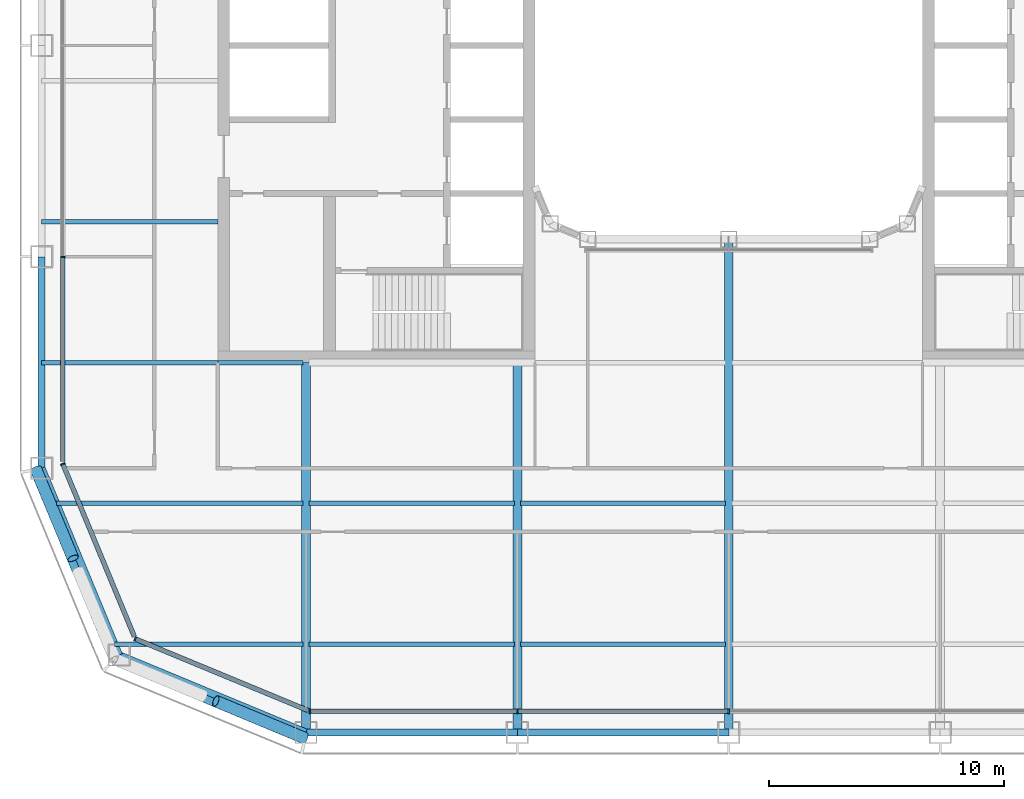
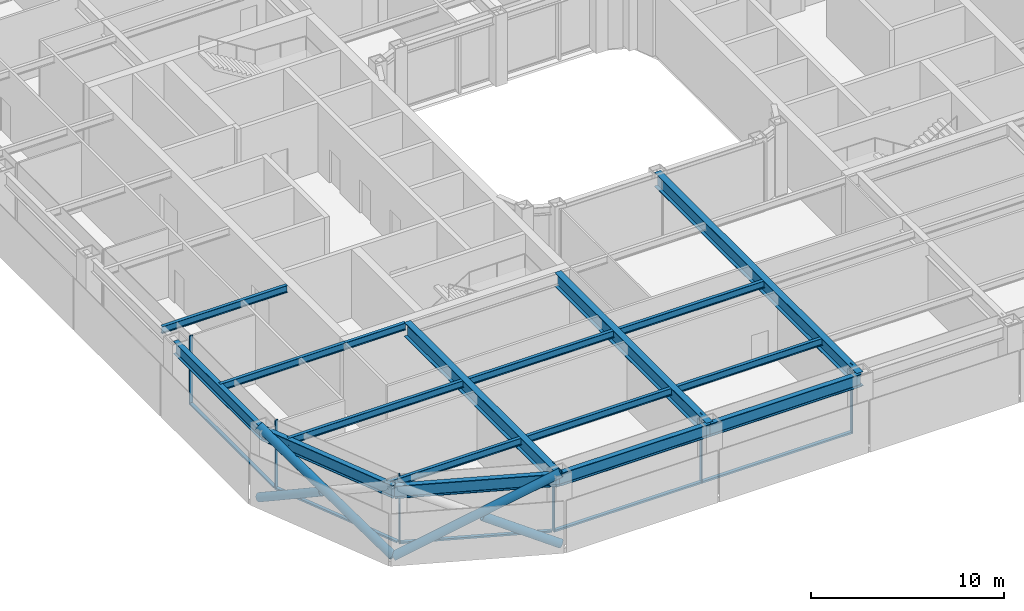
# One storey, part 2 of 21: 17 beams, 15 members, 4 elements without a shape of their own.
"""IFC4 building model written with IfcOpenShell, lengths in metres."""

from ifc_helpers import new_model, si_unit, direction, frame, origin, origin_2d, place, context, subcontext, project, spatial, rectangle, hollow_circle, i_section, extrude, material, layer, layer_set, material_profile, profile_set, type_object, element, aggregate, save


model = new_model("IFC4")

# Units and contexts
model_context = context("Model", 3, precision=1e-05, world=origin(), true_north=direction((0.0, 1.0)))
body_context = subcontext(model_context, "Body", "Model", "MODEL_VIEW")
ifc_project = project(units=[si_unit("LENGTHUNIT", "METRE"), si_unit("AREAUNIT", "SQUARE_METRE"), si_unit("VOLUMEUNIT", "CUBIC_METRE"), si_unit("PLANEANGLEUNIT", "RADIAN"), si_unit("MASSUNIT", "GRAM", prefix="KILO")], contexts=[model_context])

# Site, building, storey
site_placement = place(None, origin())
site = spatial("IfcSite", under=ifc_project, at=site_placement, CompositionType="ELEMENT")
building_placement = place(site_placement, origin())
building = spatial("IfcBuilding", under=site, at=building_placement, Name="Siwar Civic Tower", CompositionType="ELEMENT")
storey_placement = place(building_placement, frame((0.0, 0.0, 122.699951171875)))
storey = spatial("IfcBuildingStorey", under=building, at=storey_placement, Name="L26", CompositionType="ELEMENT", Elevation=122.699951171875)

# Curtain wall, members
ifc_material_1 = material(Name="Aluminium and glass", Category="aluminium")
ifc_layer_1 = layer(ifc_material_1, 0.199951171875)
ifc_layer_set_1 = layer_set([ifc_layer_1], Name="Aluminium and glass")
curtain_wall_type_1 = type_object("IfcCurtainWallType", Name="ENV-CW-B", PredefinedType="NOTDEFINED", material=ifc_layer_set_1)
curtain_wall_1_placement = place(storey_placement, origin())
curtain_wall_1 = element("IfcCurtainWall", 1, at=curtain_wall_1_placement, inside=storey, type_object=curtain_wall_type_1, Name="Curtain wall B S", PredefinedType="NOTDEFINED")
ifc_material_2 = material(Name="Aluminium 6063-T6", Category="aluminium")
ifc_material_profile_1 = material_profile(ifc_material_2, rectangle(XDim=0.199951171875, YDim=0.06494140625, at=origin_2d()), Name="AL 200x65")
ifc_profile_set_1 = profile_set([ifc_material_profile_1], Name="Aluminium 6063-T6")
member_type_1 = type_object("IfcMemberType", Name="ENV-MULLION-B", PredefinedType="MULLION", material=ifc_profile_set_1)
member_1_placement = place(storey_placement, frame((-17.821044921875, -28.35009765625, 0.0), z_axis=(0.0, 0.0, 1.0), x_axis=(0.0, 1.0, 0.0)))
member_1 = element("IfcMember", 2, at=member_1_placement, type_object=member_type_1, Name="Mullion B S 1", PredefinedType="MULLION", context=body_context, shape_type="SweptSolid", body=[
    extrude(rectangle(XDim=0.199951171875, YDim=0.06494140625, at=origin_2d()), origin(), (0.0, 0.0, 1.0), 4.35009765625),
])
member_2_placement = place(storey_placement, frame((-9.0, -28.35009765625, 0.0), z_axis=(0.0, 0.0, 1.0), x_axis=(0.0, 1.0, 0.0)))
member_2 = element("IfcMember", 3, at=member_2_placement, type_object=member_type_1, Name="Mullion B S 2", PredefinedType="MULLION", context=body_context, shape_type="SweptSolid", body=[
    extrude(rectangle(XDim=0.199951171875, YDim=0.06494140625, at=origin_2d()), origin(), (0.0, 0.0, 1.0), 4.35009765625),
])
member_3_placement = place(storey_placement, frame((0.0, -28.35009765625, 0.0), z_axis=(0.0, 0.0, 1.0), x_axis=(0.0, 1.0, 0.0)))
member_3 = element("IfcMember", 4, at=member_3_placement, type_object=member_type_1, Name="Mullion B S 3", PredefinedType="MULLION", context=body_context, shape_type="SweptSolid", body=[
    extrude(rectangle(XDim=0.199951171875, YDim=0.06494140625, at=origin_2d()), origin(), (0.0, 0.0, 1.0), 4.35009765625),
])

# Curtain wall, member
curtain_wall_2_placement = place(storey_placement, origin())
curtain_wall_2 = element("IfcCurtainWall", 5, at=curtain_wall_2_placement, inside=storey, type_object=curtain_wall_type_1, Name="Curtain wall B W", PredefinedType="NOTDEFINED")
member_4_placement = place(storey_placement, frame((-28.35009765625, -9.0, 0.0), z_axis=(0.0, 0.0, 1.0), x_axis=(1.0, 0.0, 0.0)))
member_4 = element("IfcMember", 6, at=member_4_placement, type_object=member_type_1, Name="Mullion B W 4", PredefinedType="MULLION", context=body_context, shape_type="SweptSolid", body=[
    extrude(rectangle(XDim=0.199951171875, YDim=0.06494140625, at=origin_2d()), origin(), (0.0, 0.0, 1.0), 4.35009765625),
])

ifc_material_3 = material(Name="Aluminium clad insulated panel", Category="aluminium")
ifc_layer_2 = layer(ifc_material_3, 0.199951171875)
ifc_layer_set_2 = layer_set([ifc_layer_2], Name="Aluminium clad insulated panel")
curtain_wall_type_2 = type_object("IfcCurtainWallType", Name="ENV-CW-BX", PredefinedType="NOTDEFINED", material=ifc_layer_set_2)
curtain_wall_3_placement = place(storey_placement, origin())
curtain_wall_3 = element("IfcCurtainWall", 7, at=curtain_wall_3_placement, inside=storey, type_object=curtain_wall_type_2, Name="Curtain wall B SW1", PredefinedType="NOTDEFINED")
member_5_placement = place(storey_placement, frame((-28.35009765625, -17.821044921875, 0.0), z_axis=(0.0, 0.0, 1.0), x_axis=(0.923879532511, 0.382683432365, 0.0)))
member_5 = element("IfcMember", 8, at=member_5_placement, type_object=member_type_1, Name="Mullion B SW1 1", PredefinedType="MULLION", context=body_context, shape_type="SweptSolid", body=[
    extrude(rectangle(XDim=0.199951171875, YDim=0.06494140625, at=origin_2d()), origin(), (0.0, 0.0, 1.0), 4.35009765625),
])

curtain_wall_4_placement = place(storey_placement, origin())
curtain_wall_4 = element("IfcCurtainWall", 9, at=curtain_wall_4_placement, inside=storey, type_object=curtain_wall_type_2, Name="Curtain wall B SW2", PredefinedType="NOTDEFINED")
member_6_placement = place(storey_placement, frame((-25.26611328125, -25.26611328125, 0.0), z_axis=(0.0, 0.0, 1.0), x_axis=(0.382683432365, 0.923879532511, 0.0)))
member_6 = element("IfcMember", 10, at=member_6_placement, type_object=member_type_1, Name="Mullion B SW2 1", PredefinedType="MULLION", context=body_context, shape_type="SweptSolid", body=[
    extrude(rectangle(XDim=0.199951171875, YDim=0.06494140625, at=origin_2d()), origin(), (0.0, 0.0, 1.0), 4.35009765625),
])

# Member
ifc_material_4 = material(Name="Aluminium 6063-T6", Category="aluminium")
ifc_material_profile_2 = material_profile(ifc_material_4, rectangle(XDim=0.199951171875, YDim=0.110107421875, at=origin_2d()), Name="AL 200x110")
ifc_profile_set_2 = profile_set([ifc_material_profile_2], Name="Aluminium 6063-T6")
member_type_2 = type_object("IfcMemberType", Name="ENV-TRANSOM-B", PredefinedType="USERDEFINED", material=ifc_profile_set_2)
member_7_placement = place(storey_placement, frame((-17.78857421875, -28.35009765625, 0.054931640625), z_axis=(1.0, 0.0, 0.0), x_axis=(0.0, 1.0, 0.0)))
member_7 = element("IfcMember", 11, at=member_7_placement, type_object=member_type_2, Name="Transom B S 1", ObjectType="TRANSOM", PredefinedType="USERDEFINED", context=body_context, shape_type="SweptSolid", body=[
    extrude(rectangle(XDim=0.199951171875, YDim=0.110107421875, at=origin_2d()), origin(), (0.0, 0.0, 1.0), 8.756103515625),
])

member_8_placement = place(storey_placement, frame((-8.967529296875, -28.35009765625, 0.054931640625), z_axis=(1.0, 0.0, 0.0), x_axis=(0.0, 1.0, 0.0)))
member_8 = element("IfcMember", 12, at=member_8_placement, type_object=member_type_2, Name="Transom B S 2", ObjectType="TRANSOM", PredefinedType="USERDEFINED", context=body_context, shape_type="SweptSolid", body=[
    extrude(rectangle(XDim=0.199951171875, YDim=0.110107421875, at=origin_2d()), origin(), (0.0, 0.0, 1.0), 8.93505859375),
])

aggregate(curtain_wall_1, [member_1, member_2, member_3, member_7, member_8])

member_9_placement = place(storey_placement, frame((-28.35009765625, -9.032470703125, 0.054931640625), z_axis=(0.0, -1.0, 0.0), x_axis=(1.0, 0.0, 0.0)))
member_9 = element("IfcMember", 13, at=member_9_placement, type_object=member_type_2, Name="Transom B W 4", ObjectType="TRANSOM", PredefinedType="USERDEFINED", context=body_context, shape_type="SweptSolid", body=[
    extrude(rectangle(XDim=0.199951171875, YDim=0.110107421875, at=origin_2d()), origin(), (0.0, 0.0, 1.0), 8.6748046875),
])

aggregate(curtain_wall_2, [member_4, member_9])

member_10_placement = place(storey_placement, frame((-28.337646484375, -17.85107421875, 0.054931640625), z_axis=(0.382699695651, -0.92387279587, 0.0), x_axis=(0.92387279587, 0.382699695651, 0.0)))
member_10 = element("IfcMember", 14, at=member_10_placement, type_object=member_type_2, Name="Transom B SW1 1", ObjectType="TRANSOM", PredefinedType="USERDEFINED", context=body_context, shape_type="SweptSolid", body=[
    extrude(rectangle(XDim=0.199951171875, YDim=0.110107421875, at=origin_2d()), origin(), (0.0, 0.0, 1.0), 7.912353515625),
])

aggregate(curtain_wall_3, [member_5, member_10])

member_11_placement = place(storey_placement, frame((-25.236083984375, -25.278564453125, 0.054931640625), z_axis=(0.923883705044, -0.382673358825, 0.0), x_axis=(0.382673358825, 0.923883705044, 0.0)))
member_11 = element("IfcMember", 15, at=member_11_placement, type_object=member_type_2, Name="Transom B SW2 1", ObjectType="TRANSOM", PredefinedType="USERDEFINED", context=body_context, shape_type="SweptSolid", body=[
    extrude(rectangle(XDim=0.199951171875, YDim=0.110107421875, at=origin_2d()), origin(), (0.0, 0.0, 1.0), 7.912353515625),
])

aggregate(curtain_wall_4, [member_6, member_11])

# Members
ifc_material_5 = material(Name="Steel S355", Category="steel")
ifc_material_profile_3 = material_profile(ifc_material_5, hollow_circle(Radius=0.25390625, WallThickness=0.02490234375, at=origin_2d()), Name="CHS508x25")
ifc_profile_set_3 = profile_set([ifc_material_profile_3], Name="Steel S355")
member_type_3 = type_object("IfcMemberType", Name="STR-BR-CHS508x25", PredefinedType="BRACE", material=ifc_profile_set_3)
member_12_placement = place(storey_placement, frame((-26.1318359375, -26.1318359375, 0.0), z_axis=(0.821142553604, -0.341671493852, 0.457149315816), x_axis=(0.384163874976, 0.923264922524, 0.0)))
element("IfcMember", 16, at=member_12_placement, inside=storey, type_object=member_type_3, Name="L26/brc/BSW1-5-0-1", PredefinedType="BRACE", context=body_context, shape_type="SweptSolid", body=[
    extrude(hollow_circle(Radius=0.25390625, WallThickness=0.02490234375, at=origin_2d()), origin(), (0.0, 0.0, 1.0), 9.843505859375),
])
member_13_placement = place(storey_placement, frame((-18.048828125, -29.4951171875, 0.0), z_axis=(-0.821126041429, 0.341677318012, 0.457174621391), x_axis=(-0.384176042158, -0.923259859753, 0.0)))
element("IfcMember", 17, at=member_13_placement, inside=storey, type_object=member_type_3, Name="L26/brc/BSW1-5-0-2", PredefinedType="BRACE", context=body_context, shape_type="SweptSolid", body=[
    extrude(hollow_circle(Radius=0.25390625, WallThickness=0.02490234375, at=origin_2d()), origin(), (0.0, 0.0, 1.0), 4.614501953125),
])
member_14_placement = place(storey_placement, frame((-26.1318359375, -26.1318359375, 0.0), z_axis=(-0.341671493852, 0.821142553604, 0.457149315816), x_axis=(-0.923264922524, -0.384163874976, 0.0)))
element("IfcMember", 18, at=member_14_placement, inside=storey, type_object=member_type_3, Name="L26/brc/BSW1-5-0-0", PredefinedType="BRACE", context=body_context, shape_type="SweptSolid", body=[
    extrude(hollow_circle(Radius=0.25390625, WallThickness=0.02490234375, at=origin_2d()), origin(), (0.0, 0.0, 1.0), 9.843505859375),
])
member_15_placement = place(storey_placement, frame((-29.4951171875, -18.048828125, 0.0), z_axis=(0.341677318012, -0.821126041429, 0.457174621391), x_axis=(0.923259859753, 0.384176042158, 0.0)))
element("IfcMember", 19, at=member_15_placement, inside=storey, type_object=member_type_3, Name="L26/brc/BSW1-5-0-4", PredefinedType="BRACE", context=body_context, shape_type="SweptSolid", body=[
    extrude(hollow_circle(Radius=0.25390625, WallThickness=0.02490234375, at=origin_2d()), origin(), (0.0, 0.0, 1.0), 4.614501953125),
])

# Beams
ifc_material_6 = material(Name="Steel S355", Category="steel")
ifc_material_profile_4 = material_profile(ifc_material_6, i_section(OverallWidth=0.18994140625, OverallDepth=0.449951171875, WebThickness=0.009521484375, FlangeThickness=0.0146484375, FilletRadius=0.02099609375, at=origin_2d()), Name="IPE450")
ifc_profile_set_4 = profile_set([ifc_material_profile_4], Name="Steel S355")
beam_type_1 = type_object("IfcBeamType", Name="STR-FB-IPE450", PredefinedType="JOIST", material=ifc_profile_set_4)
beam_1_placement = place(storey_placement, frame((-26.143310546875, -25.5, 4.125), z_axis=(1.0, 0.0, 0.0), x_axis=(0.0, 1.0, 0.0)))
element("IfcBeam", 20, at=beam_1_placement, inside=storey, type_object=beam_type_1, Name="L26/bm/F001", PredefinedType="JOIST", context=body_context, shape_type="SweptSolid", body=[
    extrude(i_section(OverallWidth=0.18994140625, OverallDepth=0.449951171875, WebThickness=0.009521484375, FlangeThickness=0.0146484375, FilletRadius=0.02099609375, at=origin_2d()), origin(), (0.0, 0.0, 1.0), 8.013427734375),
])
for number, where, z_axis, x_axis, name in (
    (21, (-17.8701171875, -25.5, 4.125), (1.0, 0.0, 0.0), (0.0, 1.0, 0.0), "L26/bm/F002"),
    (22, (-8.8701171875, -25.5, 4.125), (1.0, 0.0, 0.0), (0.0, 1.0, 0.0), "L26/bm/F003"),
):
    element("IfcBeam", number, at=place(storey_placement, frame(where, z_axis=z_axis, x_axis=x_axis)), inside=storey, type_object=beam_type_1, Name=name, PredefinedType="JOIST", context=body_context, shape_type="SweptSolid", body=[
        extrude(i_section(OverallWidth=0.18994140625, OverallDepth=0.449951171875, WebThickness=0.009521484375, FlangeThickness=0.0146484375, FilletRadius=0.02099609375, at=origin_2d()), origin(), (0.0, 0.0, 1.0), 8.740234375),
    ])
beam_2_placement = place(storey_placement, frame((-28.628662109375, -19.5, 4.125), z_axis=(1.0, 0.0, 0.0), x_axis=(0.0, 1.0, 0.0)))
element("IfcBeam", 23, at=beam_2_placement, inside=storey, type_object=beam_type_1, Name="L26/bm/F007", PredefinedType="JOIST", context=body_context, shape_type="SweptSolid", body=[
    extrude(i_section(OverallWidth=0.18994140625, OverallDepth=0.449951171875, WebThickness=0.009521484375, FlangeThickness=0.0146484375, FilletRadius=0.02099609375, at=origin_2d()), origin(), (0.0, 0.0, 1.0), 10.498779296875),
])
for number, where, z_axis, x_axis, name in (
    (24, (-17.8701171875, -19.5, 4.125), (1.0, 0.0, 0.0), (0.0, 1.0, 0.0), "L26/bm/F008"),
    (25, (-8.8701171875, -19.5, 4.125), (1.0, 0.0, 0.0), (0.0, 1.0, 0.0), "L26/bm/F009"),
):
    element("IfcBeam", number, at=place(storey_placement, frame(where, z_axis=z_axis, x_axis=x_axis)), inside=storey, type_object=beam_type_1, Name=name, PredefinedType="JOIST", context=body_context, shape_type="SweptSolid", body=[
        extrude(i_section(OverallWidth=0.18994140625, OverallDepth=0.449951171875, WebThickness=0.009521484375, FlangeThickness=0.0146484375, FilletRadius=0.02099609375, at=origin_2d()), origin(), (0.0, 0.0, 1.0), 8.740234375),
    ])
beam_3_placement = place(storey_placement, frame((-29.25, -13.5, 4.125), z_axis=(1.0, 0.0, 0.0), x_axis=(0.0, 1.0, 0.0)))
element("IfcBeam", 26, at=beam_3_placement, inside=storey, type_object=beam_type_1, Name="L26/bm/F013", PredefinedType="JOIST", context=body_context, shape_type="SweptSolid", body=[
    extrude(i_section(OverallWidth=0.18994140625, OverallDepth=0.449951171875, WebThickness=0.009521484375, FlangeThickness=0.0146484375, FilletRadius=0.02099609375, at=origin_2d()), origin(), (0.0, 0.0, 1.0), 7.5),
])
beam_4_placement = place(storey_placement, frame((-21.75, -13.5, 4.125), z_axis=(1.0, 0.0, 0.0), x_axis=(0.0, 1.0, 0.0)))
element("IfcBeam", 27, at=beam_4_placement, inside=storey, type_object=beam_type_1, Name="L26/bm/F014", PredefinedType="JOIST", context=body_context, shape_type="SweptSolid", body=[
    extrude(i_section(OverallWidth=0.18994140625, OverallDepth=0.449951171875, WebThickness=0.009521484375, FlangeThickness=0.0146484375, FilletRadius=0.02099609375, at=origin_2d()), origin(), (0.0, 0.0, 1.0), 3.6201171875),
])
beam_5_placement = place(storey_placement, frame((-29.25, -7.5, 4.125), z_axis=(1.0, 0.0, 0.0), x_axis=(0.0, 1.0, 0.0)))
element("IfcBeam", 28, at=beam_5_placement, inside=storey, type_object=beam_type_1, Name="L26/bm/F021", PredefinedType="JOIST", context=body_context, shape_type="SweptSolid", body=[
    extrude(i_section(OverallWidth=0.18994140625, OverallDepth=0.449951171875, WebThickness=0.009521484375, FlangeThickness=0.0146484375, FilletRadius=0.02099609375, at=origin_2d()), origin(), (0.0, 0.0, 1.0), 7.5),
])
ifc_material_7 = material(Name="Steel S355", Category="steel")
ifc_material_profile_5 = material_profile(ifc_material_7, i_section(OverallWidth=0.3798828125, OverallDepth=0.89990234375, WebThickness=0.01611328125, FlangeThickness=0.035888671875, at=origin_2d()), Name="PG900x380x16x36")
ifc_profile_set_5 = profile_set([ifc_material_profile_5], Name="Steel S355")
beam_type_2 = type_object("IfcBeamType", Name="STR-PG-PG900x380x16x36", PredefinedType="BEAM", material=ifc_profile_set_5)
for number, where, z_axis, x_axis, name in (
    (29, (-18.0, -29.25, 3.900146484375), (0.0, 1.0, 0.0), (-1.0, 0.0, 0.0), "L26/bm/G01"),
    (30, (-9.0, -29.25, 3.900146484375), (0.0, 1.0, 0.0), (-1.0, 0.0, 0.0), "L26/bm/G03"),
):
    element("IfcBeam", number, at=place(storey_placement, frame(where, z_axis=z_axis, x_axis=x_axis)), inside=storey, type_object=beam_type_2, Name=name, PredefinedType="BEAM", context=body_context, shape_type="SweptSolid", body=[
        extrude(i_section(OverallWidth=0.3798828125, OverallDepth=0.89990234375, WebThickness=0.01611328125, FlangeThickness=0.035888671875, at=origin_2d()), origin(), (0.0, 0.0, 1.0), 15.75),
    ])
beam_6_placement = place(storey_placement, frame((0.0, -29.25, 3.900146484375), z_axis=(0.0, 1.0, 0.0), x_axis=(-1.0, 0.0, 0.0)))
element("IfcBeam", 31, at=beam_6_placement, inside=storey, type_object=beam_type_2, Name="L26/bm/G05", PredefinedType="BEAM", context=body_context, shape_type="SweptSolid", body=[
    extrude(i_section(OverallWidth=0.3798828125, OverallDepth=0.89990234375, WebThickness=0.01611328125, FlangeThickness=0.035888671875, at=origin_2d()), origin(), (0.0, 0.0, 1.0), 21.0),
])
ifc_material_8 = material(Name="Steel S355", Category="steel")
ifc_material_profile_6 = material_profile(ifc_material_8, i_section(OverallWidth=0.300048828125, OverallDepth=0.800048828125, WebThickness=0.017578125, FlangeThickness=0.032958984375, FilletRadius=0.030029296875, at=origin_2d()), Name="HEB800")
ifc_profile_set_6 = profile_set([ifc_material_profile_6], Name="Steel S355")
beam_type_3 = type_object("IfcBeamType", Name="STR-SB-HEB800", PredefinedType="BEAM", material=ifc_profile_set_6)
for number, where, z_axis, x_axis, name in (
    (32, (-18.0, -29.25, 3.949951171875), (1.0, 0.0, 0.0), (0.0, 1.0, 0.0), "L26/bm/SS-0"),
    (33, (-9.0, -29.25, 3.949951171875), (1.0, 0.0, 0.0), (0.0, 1.0, 0.0), "L26/bm/SS-1"),
    (34, (-29.25, -9.0, 3.949951171875), (0.0, -1.0, 0.0), (1.0, 0.0, 0.0), "L26/bm/SW-3"),
):
    element("IfcBeam", number, at=place(storey_placement, frame(where, z_axis=z_axis, x_axis=x_axis)), inside=storey, type_object=beam_type_3, Name=name, PredefinedType="BEAM", context=body_context, shape_type="SweptSolid", body=[
        extrude(i_section(OverallWidth=0.300048828125, OverallDepth=0.800048828125, WebThickness=0.017578125, FlangeThickness=0.032958984375, FilletRadius=0.030029296875, at=origin_2d()), origin(), (0.0, 0.0, 1.0), 9.0),
    ])
for number, where, z_axis, x_axis, name in (
    (35, (-29.25, -18.0, 3.949951171875), (0.382699877515, -0.923872720536, 0.0), (0.923872720536, 0.382699877515, 0.0), "L26/bm/SSW1-0"),
    (36, (-25.954833984375, -25.954833984375, 3.949951171875), (0.923872720536, -0.382699877515, 0.0), (0.382699877515, 0.923872720536, 0.0), "L26/bm/SSW2-0"),
):
    element("IfcBeam", number, at=place(storey_placement, frame(where, z_axis=z_axis, x_axis=x_axis)), inside=storey, type_object=beam_type_3, Name=name, PredefinedType="BEAM", context=body_context, shape_type="SweptSolid", body=[
        extrude(i_section(OverallWidth=0.300048828125, OverallDepth=0.800048828125, WebThickness=0.017578125, FlangeThickness=0.032958984375, FilletRadius=0.030029296875, at=origin_2d()), origin(), (0.0, 0.0, 1.0), 8.6103515625),
    ])

save(model, "model.ifc")
